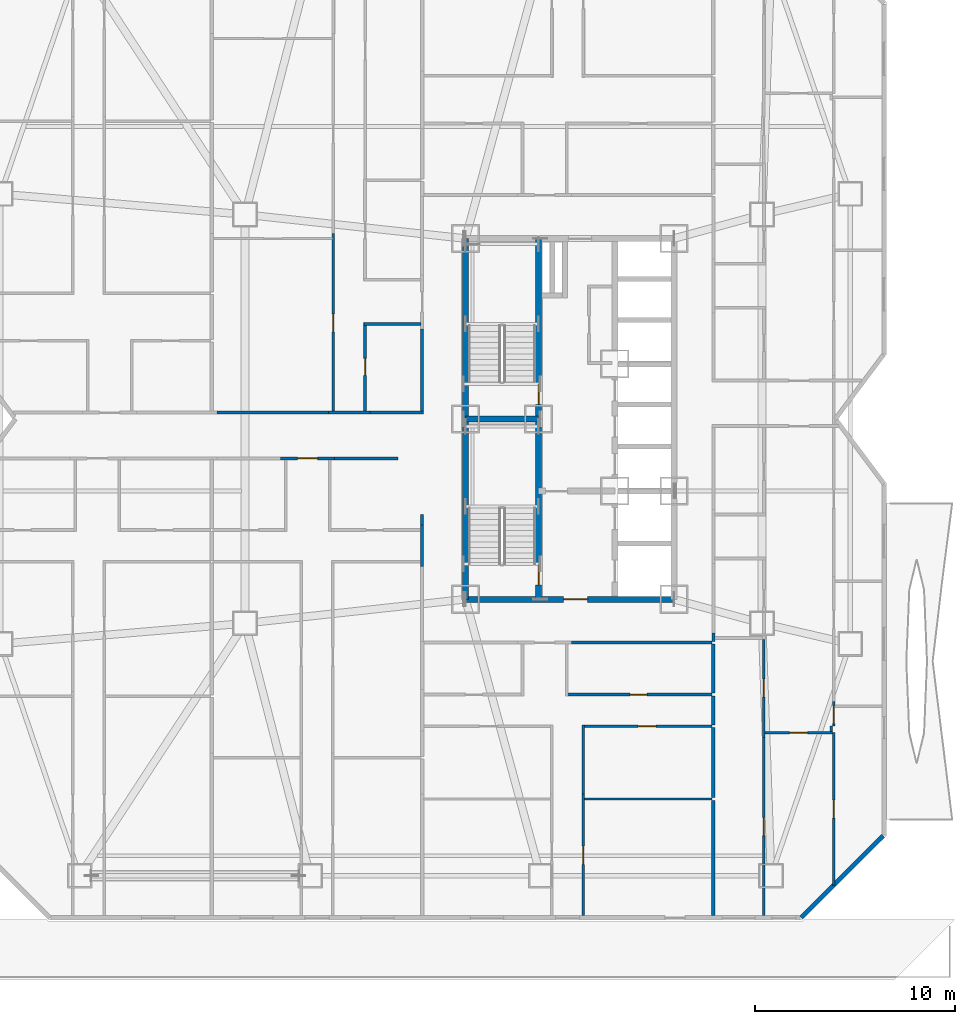
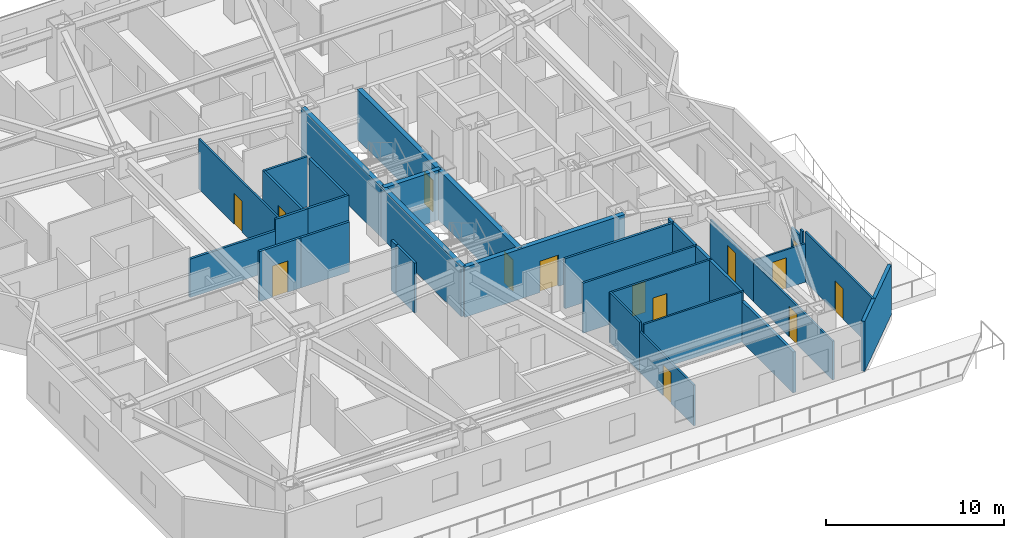
# One storey, part 11 of 18: 35 walls, 14 doors, 14 openings.
"""IFC4 building model written with IfcOpenShell, lengths in metres."""

from ifc_helpers import new_model, si_unit, direction, frame, frame_2d, origin, place, context, subcontext, project, spatial, rectangle, extrude, material, layer, layer_set, type_object, element, fill, save


model = new_model("IFC4")

# Units and contexts
model_context = context("Model", 3, precision=1e-05, world=origin(), true_north=direction((0.0, 1.0)))
body_context = subcontext(model_context, "Body", "Model", "MODEL_VIEW")
ifc_project = project(units=[si_unit("LENGTHUNIT", "METRE"), si_unit("AREAUNIT", "SQUARE_METRE"), si_unit("VOLUMEUNIT", "CUBIC_METRE"), si_unit("PLANEANGLEUNIT", "RADIAN"), si_unit("MASSUNIT", "GRAM", prefix="KILO")], contexts=[model_context])

# Site, building, storey
site_placement = place(None, origin())
site = spatial("IfcSite", under=ifc_project, at=site_placement, CompositionType="ELEMENT")
building_placement = place(site_placement, origin())
building = spatial("IfcBuilding", under=site, at=building_placement, Name="Khamvora Tower", CompositionType="ELEMENT")
storey_placement = place(building_placement, frame((0.0, 0.0, 33.300048828125)))
storey = spatial("IfcBuildingStorey", under=building, at=storey_placement, Name="L07", CompositionType="ELEMENT", Elevation=33.300048828125)

# Walls
ifc_material_1 = material(Name="Concrete C50/60", Category="concrete")
ifc_layer_1 = layer(ifc_material_1, 0.300048828125)
ifc_layer_set_1 = layer_set([ifc_layer_1], Name="Concrete C50/60")
wall_type_1 = type_object("IfcWallType", Name="WAL-CORE-300", PredefinedType="SHEAR", material=ifc_layer_set_1)
for number, where, z_axis, x_axis, name in (
    (1, (29.0, 19.0, 0.0), (0.0, 0.0, 1.0), (0.0, 1.0, 0.0), "L07 central core west south wall"),
    (2, (29.0, 28.0, 0.0), (0.0, 0.0, 1.0), (0.0, 1.0, 0.0), "L07 central core west north wall"),
):
    element("IfcWall", number, at=place(storey_placement, frame(where, z_axis=z_axis, x_axis=x_axis)), inside=storey, type_object=wall_type_1, Name=name, PredefinedType="SHEAR", context=body_context, shape_type="SweptSolid", body=[
        extrude(rectangle(XDim=9.0, YDim=0.300048828125, at=frame_2d((4.5, 0.0))), origin(), (0.0, 0.0, 1.0), 3.429931640625),
    ])

# Wall, opening, door
wall_1_placement = place(storey_placement, frame((29.0, 19.0, 0.0), z_axis=(0.0, 0.0, 1.0), x_axis=(1.0, 0.0, 0.0)))
wall_1 = element("IfcWall", 3, at=wall_1_placement, inside=storey, type_object=wall_type_1, Name="L07 central core south wall", PredefinedType="SHEAR", context=body_context, shape_type="SweptSolid", body=[
    extrude(rectangle(XDim=10.39990234375, YDim=0.300048828125, at=frame_2d((5.199951171875, 0.0))), origin(), (0.0, 0.0, 1.0), 3.429931640625),
])
opening_1_placement = place(wall_1_placement, frame((4.89990234375, 0.0, 0.0)))
opening_1 = element("IfcOpeningElement", 4, at=opening_1_placement, cuts=wall_1, Name="Opening D-CR1", PredefinedType="OPENING", context=body_context, shape_type="SweptSolid", body=[
    extrude(rectangle(XDim=1.199951171875, YDim=2.14990234375, at=frame_2d((0.60009765625, 1.074951171875))), frame((0.0, 0.159912109375, 0.0), z_axis=(0.0, -1.0, 0.0), x_axis=(1.0, 0.0, 0.0)), (0.0, 0.0, 1.0), 0.320068359375),
])
ifc_material_2 = material(Name="Powder-Coated Steel and Hardwood Leaf", Category="steel")
door_type_1 = type_object("IfcDoorType", Name="DOR-CORR-1200", OperationType="NOTDEFINED", PredefinedType="DOOR", material=ifc_material_2)
door_1_placement = place(opening_1_placement, origin())
door_1 = element("IfcDoor", 5, at=door_1_placement, inside=storey, type_object=door_type_1, Name="L07 south core lobby to corridor fire door", OperationType="SINGLE_SWING_LEFT", OverallHeight=2.14990234375, OverallWidth=1.199951171875, PredefinedType="DOOR", context=body_context, shape_type="SweptSolid", body=[
    extrude(rectangle(XDim=1.199951171875, YDim=2.14990234375, at=frame_2d((0.60009765625, 1.074951171875))), frame((0.0, 0.02490234375, 0.0), z_axis=(0.0, -1.0, 0.0), x_axis=(1.0, 0.0, 0.0)), (0.0, 0.0, 1.0), 0.050048828125),
])
fill(opening_1, door_1)

wall_2_placement = place(storey_placement, frame((32.64990234375, 19.0, 0.0), z_axis=(0.0, 0.0, 1.0), x_axis=(0.0, 1.0, 0.0)))
wall_2 = element("IfcWall", 6, at=wall_2_placement, inside=storey, type_object=wall_type_1, Name="L07 central core stair south spine wall", PredefinedType="SHEAR", context=body_context, shape_type="SweptSolid", body=[
    extrude(rectangle(XDim=9.0, YDim=0.300048828125, at=frame_2d((4.5, 0.0))), origin(), (0.0, 0.0, 1.0), 3.429931640625),
])
opening_2_placement = place(wall_2_placement, frame((0.719970703125, 0.0, 0.0)))
opening_2 = element("IfcOpeningElement", 7, at=opening_2_placement, cuts=wall_2, Name="Opening D-ST1", PredefinedType="OPENING", context=body_context, shape_type="SweptSolid", body=[
    extrude(rectangle(XDim=1.0, YDim=2.14990234375, at=frame_2d((0.5, 1.074951171875))), frame((0.0, 0.159912109375, 0.0), z_axis=(0.0, -1.0, 0.0), x_axis=(1.0, 0.0, 0.0)), (0.0, 0.0, 1.0), 0.320068359375),
])
door_type_2 = type_object("IfcDoorType", Name="DOR-STAIR-1000", OperationType="NOTDEFINED", PredefinedType="DOOR", material=ifc_material_2)
door_2_placement = place(opening_2_placement, origin())
door_2 = element("IfcDoor", 8, at=door_2_placement, inside=storey, type_object=door_type_2, Name="L07 exit stair ST-01 fire door", OperationType="SINGLE_SWING_RIGHT", OverallHeight=2.14990234375, OverallWidth=1.0, PredefinedType="DOOR", context=body_context, shape_type="SweptSolid", body=[
    extrude(rectangle(XDim=1.0, YDim=2.14990234375, at=frame_2d((0.5, 1.074951171875))), frame((0.0, 0.02490234375, 0.0), z_axis=(0.0, -1.0, 0.0), x_axis=(1.0, 0.0, 0.0)), (0.0, 0.0, 1.0), 0.050048828125),
])
fill(opening_2, door_2)

wall_3_placement = place(storey_placement, frame((32.64990234375, 28.0, 0.0), z_axis=(0.0, 0.0, 1.0), x_axis=(0.0, 1.0, 0.0)))
wall_3 = element("IfcWall", 9, at=wall_3_placement, inside=storey, type_object=wall_type_1, Name="L07 central core stair north spine wall", PredefinedType="SHEAR", context=body_context, shape_type="SweptSolid", body=[
    extrude(rectangle(XDim=9.0, YDim=0.300048828125, at=frame_2d((4.5, 0.0))), origin(), (0.0, 0.0, 1.0), 3.429931640625),
])
opening_3_placement = place(wall_3_placement, frame((0.719970703125, 0.0, 0.0)))
opening_3 = element("IfcOpeningElement", 10, at=opening_3_placement, cuts=wall_3, Name="Opening D-ST1", PredefinedType="OPENING", context=body_context, shape_type="SweptSolid", body=[
    extrude(rectangle(XDim=1.0, YDim=2.14990234375, at=frame_2d((0.5, 1.074951171875))), frame((0.0, 0.159912109375, 0.0), z_axis=(0.0, -1.0, 0.0), x_axis=(1.0, 0.0, 0.0)), (0.0, 0.0, 1.0), 0.320068359375),
])
door_3_placement = place(opening_3_placement, origin())
door_3 = element("IfcDoor", 11, at=door_3_placement, inside=storey, type_object=door_type_2, Name="L07 exit stair ST-02 fire door", OperationType="SINGLE_SWING_RIGHT", OverallHeight=2.14990234375, OverallWidth=1.0, PredefinedType="DOOR", context=body_context, shape_type="SweptSolid", body=[
    extrude(rectangle(XDim=1.0, YDim=2.14990234375, at=frame_2d((0.5, 1.074951171875))), frame((0.0, 0.02490234375, 0.0), z_axis=(0.0, -1.0, 0.0), x_axis=(1.0, 0.0, 0.0)), (0.0, 0.0, 1.0), 0.050048828125),
])
fill(opening_3, door_3)

# Walls
wall_4_placement = place(storey_placement, frame((29.0, 28.0, 0.0), z_axis=(0.0, 0.0, 1.0), x_axis=(1.0, 0.0, 0.0)))
element("IfcWall", 12, at=wall_4_placement, inside=storey, type_object=wall_type_1, Name="L07 central core stair cross wall", PredefinedType="SHEAR", context=body_context, shape_type="SweptSolid", body=[
    extrude(rectangle(XDim=3.64990234375, YDim=0.300048828125, at=frame_2d((1.824951171875, 0.0))), origin(), (0.0, 0.0, 1.0), 3.429931640625),
])
ifc_material_3 = material(Name="Fire-Rated Drywall and Steel Stud", Category="steel")
ifc_layer_2 = layer(ifc_material_3, 0.14990234375)
ifc_layer_set_2 = layer_set([ifc_layer_2], Name="Fire-Rated Drywall and Steel Stud")
wall_type_2 = type_object("IfcWallType", Name="WAL-CORR-150", PredefinedType="STANDARD", material=ifc_layer_set_2)
wall_5_placement = place(storey_placement, frame((26.8349609375, 20.6259765625, 0.0), z_axis=(0.0, 0.0, 1.0), x_axis=(0.0, 1.0, 0.0)))
element("IfcWall", 13, at=wall_5_placement, inside=storey, type_object=wall_type_2, Name="L07 interior partition wall 007", PredefinedType="STANDARD", context=body_context, shape_type="SweptSolid", body=[
    extrude(rectangle(XDim=2.078125, YDim=0.14990234375, at=frame_2d((1.0390625, 0.0))), origin(), (0.0, 0.0, 1.0), 3.429931640625),
])

# Wall, opening, door
wall_6_placement = place(storey_placement, frame((22.47607421875, 26.034912109375, 0.0), z_axis=(0.0, 0.0, 1.0), x_axis=(-1.0, 0.0, 0.0)))
wall_6 = element("IfcWall", 14, at=wall_6_placement, inside=storey, type_object=wall_type_2, Name="L07 interior partition wall 008", PredefinedType="STANDARD", context=body_context, shape_type="SweptSolid", body=[
    extrude(rectangle(XDim=2.698974609375, YDim=0.14990234375, at=frame_2d((1.349609375, 0.0))), origin(), (0.0, 0.0, 1.0), 3.429931640625),
])
opening_4_placement = place(wall_6_placement, frame((0.85009765625, 0.0, 0.0)))
opening_4 = element("IfcOpeningElement", 15, at=opening_4_placement, cuts=wall_6, Name="Opening D-U1", PredefinedType="OPENING", context=body_context, shape_type="SweptSolid", body=[
    extrude(rectangle(XDim=1.0, YDim=2.14990234375, at=frame_2d((0.5, 1.074951171875))), frame((0.0, 0.0849609375, 0.0), z_axis=(0.0, -1.0, 0.0), x_axis=(1.0, 0.0, 0.0)), (0.0, 0.0, 1.0), 0.169921875),
])
door_type_3 = type_object("IfcDoorType", Name="DOR-UNIT-1000", OperationType="NOTDEFINED", PredefinedType="DOOR", material=ifc_material_2)
door_4_placement = place(opening_4_placement, origin())
door_4 = element("IfcDoor", 16, at=door_4_placement, inside=storey, type_object=door_type_3, Name="L07 interior door COR-07WA2H", OperationType="SINGLE_SWING_LEFT", OverallHeight=2.14990234375, OverallWidth=1.0, PredefinedType="DOOR", context=body_context, shape_type="SweptSolid", body=[
    extrude(rectangle(XDim=1.0, YDim=2.14990234375, at=frame_2d((0.5, 1.074951171875))), frame((0.0, 0.02490234375, 0.0), z_axis=(0.0, -1.0, 0.0), x_axis=(1.0, 0.0, 0.0)), (0.0, 0.0, 1.0), 0.050048828125),
])
fill(opening_4, door_4)

# Walls
wall_7_placement = place(storey_placement, frame((26.8349609375, 22.7041015625, 0.0), z_axis=(0.0, 0.0, 1.0), x_axis=(0.0, 1.0, 0.0)))
element("IfcWall", 17, at=wall_7_placement, inside=storey, type_object=wall_type_2, Name="L07 interior partition wall 010", PredefinedType="STANDARD", context=body_context, shape_type="SweptSolid", body=[
    extrude(rectangle(XDim=0.535888671875, YDim=0.14990234375, at=frame_2d((0.26806640625, 0.0))), origin(), (0.0, 0.0, 1.0), 3.429931640625),
])
wall_8_placement = place(storey_placement, frame((25.639892578125, 26.034912109375, 0.0), z_axis=(0.0, 0.0, 1.0), x_axis=(-1.0, 0.0, 0.0)))
element("IfcWall", 18, at=wall_8_placement, inside=storey, type_object=wall_type_2, Name="L07 interior partition wall 011", PredefinedType="STANDARD", context=body_context, shape_type="SweptSolid", body=[
    extrude(rectangle(XDim=3.163818359375, YDim=0.14990234375, at=frame_2d((1.58203125, 0.0))), origin(), (0.0, 0.0, 1.0), 3.429931640625),
])
wall_9_placement = place(storey_placement, frame((22.160888671875, 28.31494140625, 0.0), z_axis=(0.0, 0.0, 1.0), x_axis=(1.0, 0.0, 0.0)))
element("IfcWall", 19, at=wall_9_placement, inside=storey, type_object=wall_type_2, Name="L07 interior partition wall 016", PredefinedType="STANDARD", context=body_context, shape_type="SweptSolid", body=[
    extrude(rectangle(XDim=2.0791015625, YDim=0.14990234375, at=frame_2d((1.03955078125, 0.0))), origin(), (0.0, 0.0, 1.0), 3.429931640625),
])
wall_10_placement = place(storey_placement, frame((24.239990234375, 28.31494140625, 0.0), z_axis=(0.0, 0.0, 1.0), x_axis=(1.0, 0.0, 0.0)))
element("IfcWall", 20, at=wall_10_placement, inside=storey, type_object=wall_type_2, Name="L07 interior partition wall 018", PredefinedType="STANDARD", context=body_context, shape_type="SweptSolid", body=[
    extrude(rectangle(XDim=2.659912109375, YDim=0.14990234375, at=frame_2d((1.330078125, 0.0))), origin(), (0.0, 0.0, 1.0), 3.429931640625),
])
wall_11_placement = place(storey_placement, frame((26.8349609375, 28.25, 0.0), z_axis=(0.0, 0.0, 1.0), x_axis=(0.0, 1.0, 0.0)))
element("IfcWall", 21, at=wall_11_placement, inside=storey, type_object=wall_type_2, Name="L07 interior partition wall 019", PredefinedType="STANDARD", context=body_context, shape_type="SweptSolid", body=[
    extrude(rectangle(XDim=4.241943359375, YDim=0.14990234375, at=frame_2d((2.12109375, 0.0))), origin(), (0.0, 0.0, 1.0), 3.429931640625),
])
wall_12_placement = place(storey_placement, frame((16.595947265625, 28.31494140625, 0.0), z_axis=(0.0, 0.0, 1.0), x_axis=(1.0, 0.0, 0.0)))
element("IfcWall", 22, at=wall_12_placement, inside=storey, type_object=wall_type_2, Name="L07 interior partition wall 021", PredefinedType="STANDARD", context=body_context, shape_type="SweptSolid", body=[
    extrude(rectangle(XDim=5.56494140625, YDim=0.14990234375, at=frame_2d((2.782470703125, 0.0))), origin(), (0.0, 0.0, 1.0), 2.64697265625),
])
wall_13_placement = place(storey_placement, frame((41.300048828125, 16.8349609375, 0.0), z_axis=(0.0, 0.0, 1.0), x_axis=(-1.0, 0.0, 0.0)))
element("IfcWall", 23, at=wall_13_placement, inside=storey, type_object=wall_type_2, Name="L07 interior partition wall 024", PredefinedType="STANDARD", context=body_context, shape_type="SweptSolid", body=[
    extrude(rectangle(XDim=7.0009765625, YDim=0.14990234375, at=frame_2d((3.50048828125, 0.0))), origin(), (0.0, 0.0, 1.0), 3.429931640625),
])
wall_14_placement = place(storey_placement, frame((41.364990234375, 17.318115234375, 0.0), z_axis=(0.0, 0.0, 1.0), x_axis=(0.0, -1.0, 0.0)))
element("IfcWall", 24, at=wall_14_placement, inside=storey, type_object=wall_type_2, Name="L07 interior partition wall 028", PredefinedType="STANDARD", context=body_context, shape_type="SweptSolid", body=[
    extrude(rectangle(XDim=0.418212890625, YDim=0.14990234375, at=frame_2d((0.208984375, 0.0))), origin(), (0.0, 0.0, 1.0), 3.429931640625),
])
ifc_material_4 = material(Name="Acoustic Double-Stud Fire Wall", Category="gypsum")
ifc_layer_3 = layer(ifc_material_4, 0.179931640625)
ifc_layer_set_3 = layer_set([ifc_layer_3], Name="Acoustic Double-Stud Fire Wall")
wall_type_3 = type_object("IfcWallType", Name="WAL-CORR-180", PredefinedType="STANDARD", material=ifc_layer_set_3)
wall_15_placement = place(storey_placement, frame((41.364990234375, 14.180908203125, 0.0), z_axis=(0.0, 0.0, 1.0), x_axis=(0.0, -1.0, 0.0)))
element("IfcWall", 25, at=wall_15_placement, inside=storey, type_object=wall_type_3, Name="L07 interior partition wall 116", PredefinedType="STANDARD", context=body_context, shape_type="SweptSolid", body=[
    extrude(rectangle(XDim=1.449951171875, YDim=0.179931640625, at=frame_2d((0.72509765625, 0.0))), origin(), (0.0, 0.0, 1.0), 3.429931640625),
])
wall_16_placement = place(storey_placement, frame((41.364990234375, 16.77001953125, 0.0), z_axis=(0.0, 0.0, 1.0), x_axis=(0.0, -1.0, 0.0)))
element("IfcWall", 26, at=wall_16_placement, inside=storey, type_object=wall_type_3, Name="L07 interior partition wall 117", PredefinedType="STANDARD", context=body_context, shape_type="SweptSolid", body=[
    extrude(rectangle(XDim=2.458984375, YDim=0.179931640625, at=frame_2d((1.2294921875, 0.0))), origin(), (0.0, 0.0, 1.0), 3.429931640625),
])
wall_17_placement = place(storey_placement, frame((41.364990234375, 8.968017578125, 0.0), z_axis=(0.0, 0.0, 1.0), x_axis=(0.0, -1.0, 0.0)))
element("IfcWall", 27, at=wall_17_placement, inside=storey, type_object=wall_type_3, Name="L07 interior partition wall 120", PredefinedType="STANDARD", context=body_context, shape_type="SweptSolid", body=[
    extrude(rectangle(XDim=5.756103515625, YDim=0.179931640625, at=frame_2d((2.8779296875, 0.0))), origin(), (0.0, 0.0, 1.0), 2.802978515625),
])
wall_18_placement = place(storey_placement, frame((41.364990234375, 12.60107421875, 0.0), z_axis=(0.0, 0.0, 1.0), x_axis=(0.0, -1.0, 0.0)))
element("IfcWall", 28, at=wall_18_placement, inside=storey, type_object=wall_type_3, Name="L07 interior partition wall 121", PredefinedType="STANDARD", context=body_context, shape_type="SweptSolid", body=[
    extrude(rectangle(XDim=3.503173828125, YDim=0.179931640625, at=frame_2d((1.75146484375, 0.0))), origin(), (0.0, 0.0, 1.0), 3.429931640625),
])
ifc_material_5 = material(Name="Precast concrete C40/50", Category="concrete")
ifc_layer_4 = layer(ifc_material_5, 0.219970703125)
ifc_layer_set_4 = layer_set([ifc_layer_4], Name="Precast concrete C40/50")
wall_type_4 = type_object("IfcWallType", Name="WAL-EXT-220", PredefinedType="STANDARD", material=ifc_layer_set_4)
wall_19_placement = place(storey_placement, frame((49.840087890625, 7.196044921875, 0.0), z_axis=(0.0, 0.0, 1.0), x_axis=(-0.707127905562, -0.70708565618, 0.0)))
element("IfcWall", 29, at=wall_19_placement, inside=storey, type_object=wall_type_4, Name="L07 exterior facade wall 13.1", PredefinedType="STANDARD", context=body_context, shape_type="SweptSolid", body=[
    extrude(rectangle(XDim=5.778564453125, YDim=0.219970703125, at=frame_2d((2.88916015625, 0.0))), origin(), (0.0, 0.0, 1.0), 3.429931640625),
])

# Wall, opening, door
ifc_material_6 = material(Name="Gypsum Plasterboard Partition", Category="gypsum")
ifc_layer_5 = layer(ifc_material_6, 0.1201171875)
ifc_layer_set_5 = layer_set([ifc_layer_5], Name="Gypsum Plasterboard Partition")
wall_type_5 = type_object("IfcWallType", Name="WAL-PART-120", PredefinedType="PARTITIONING", material=ifc_layer_set_5)
wall_20_placement = place(storey_placement, frame((22.409912109375, 28.382080078125, 0.0), z_axis=(0.0, 0.0, 1.0), x_axis=(0.0, 1.0, 0.0)))
wall_20 = element("IfcWall", 30, at=wall_20_placement, inside=storey, type_object=wall_type_5, Name="L07 interior partition wall 100", PredefinedType="PARTITIONING", context=body_context, shape_type="SweptSolid", body=[
    extrude(rectangle(XDim=8.869873046875, YDim=0.1201171875, at=frame_2d((4.43505859375, 0.0))), origin(), (0.0, 0.0, 1.0), 3.429931640625),
])
opening_5_placement = place(wall_20_placement, frame((3.964111328125, 0.0, 0.0)))
opening_5 = element("IfcOpeningElement", 31, at=opening_5_placement, cuts=wall_20, Name="Opening D-RM1", PredefinedType="OPENING", context=body_context, shape_type="SweptSolid", body=[
    extrude(rectangle(XDim=0.89990234375, YDim=2.10009765625, at=frame_2d((0.449951171875, 1.050048828125))), frame((0.0, 0.070068359375, 0.0), z_axis=(0.0, -1.0, 0.0), x_axis=(1.0, 0.0, 0.0)), (0.0, 0.0, 1.0), 0.14013671875),
])
door_type_4 = type_object("IfcDoorType", Name="DOR-ROOM-900", OperationType="NOTDEFINED", PredefinedType="DOOR", material=ifc_material_2)
door_5_placement = place(opening_5_placement, origin())
door_5 = element("IfcDoor", 32, at=door_5_placement, inside=storey, type_object=door_type_4, Name="L07 interior door 07WB2H-07WB2R1", OperationType="SINGLE_SWING_LEFT", OverallHeight=2.10009765625, OverallWidth=0.89990234375, PredefinedType="DOOR", context=body_context, shape_type="SweptSolid", body=[
    extrude(rectangle(XDim=0.89990234375, YDim=2.10009765625, at=frame_2d((0.449951171875, 1.050048828125))), frame((0.0, 0.02490234375, 0.0), z_axis=(0.0, -1.0, 0.0), x_axis=(1.0, 0.0, 0.0)), (0.0, 0.0, 1.0), 0.050048828125),
])
fill(opening_5, door_5)

wall_21_placement = place(storey_placement, frame((34.885009765625, 9.281982421875, 0.0), z_axis=(0.0, 0.0, 1.0), x_axis=(0.0, -1.0, 0.0)))
wall_21 = element("IfcWall", 33, at=wall_21_placement, inside=storey, type_object=wall_type_5, Name="L07 interior partition wall 113", PredefinedType="PARTITIONING", context=body_context, shape_type="SweptSolid", body=[
    extrude(rectangle(XDim=6.070068359375, YDim=0.1201171875, at=frame_2d((3.03515625, 0.0))), origin(), (0.0, 0.0, 1.0), 2.802978515625),
])
opening_6_placement = place(wall_21_placement, frame((2.60595703125, 0.0, 0.0)))
opening_6 = element("IfcOpeningElement", 34, at=opening_6_placement, cuts=wall_21, Name="Opening D-RM1", PredefinedType="OPENING", context=body_context, shape_type="SweptSolid", body=[
    extrude(rectangle(XDim=0.89990234375, YDim=2.10009765625, at=frame_2d((0.449951171875, 1.050048828125))), frame((0.0, 0.070068359375, 0.0), z_axis=(0.0, -1.0, 0.0), x_axis=(1.0, 0.0, 0.0)), (0.0, 0.0, 1.0), 0.14013671875),
])
door_6_placement = place(opening_6_placement, origin())
door_6 = element("IfcDoor", 35, at=door_6_placement, inside=storey, type_object=door_type_4, Name="L07 interior door 07SAH-07SAR3", OperationType="SINGLE_SWING_LEFT", OverallHeight=2.10009765625, OverallWidth=0.89990234375, PredefinedType="DOOR", context=body_context, shape_type="SweptSolid", body=[
    extrude(rectangle(XDim=0.89990234375, YDim=2.10009765625, at=frame_2d((0.449951171875, 1.050048828125))), frame((0.0, 0.02490234375, 0.0), z_axis=(0.0, -1.0, 0.0), x_axis=(1.0, 0.0, 0.0)), (0.0, 0.0, 1.0), 0.050048828125),
])
fill(opening_6, door_6)

wall_22_placement = place(storey_placement, frame((41.300048828125, 12.666015625, 0.0), z_axis=(0.0, 0.0, 1.0), x_axis=(-1.0, 0.0, 0.0)))
wall_22 = element("IfcWall", 36, at=wall_22_placement, inside=storey, type_object=wall_type_5, Name="L07 interior partition wall 114", PredefinedType="PARTITIONING", context=body_context, shape_type="SweptSolid", body=[
    extrude(rectangle(XDim=6.47998046875, YDim=0.1201171875, at=frame_2d((3.239990234375, 0.0))), origin(), (0.0, 0.0, 1.0), 3.429931640625),
])
opening_7_placement = place(wall_22_placement, frame((2.7900390625, 0.0, 0.0)))
opening_7 = element("IfcOpeningElement", 37, at=opening_7_placement, cuts=wall_22, Name="Opening D-RM1", PredefinedType="OPENING", context=body_context, shape_type="SweptSolid", body=[
    extrude(rectangle(XDim=0.89990234375, YDim=2.10009765625, at=frame_2d((0.449951171875, 1.050048828125))), frame((0.0, 0.070068359375, 0.0), z_axis=(0.0, -1.0, 0.0), x_axis=(1.0, 0.0, 0.0)), (0.0, 0.0, 1.0), 0.14013671875),
])
door_7_placement = place(opening_7_placement, origin())
door_7 = element("IfcDoor", 38, at=door_7_placement, inside=storey, type_object=door_type_4, Name="L07 interior door 07SAH-07SAR4", OperationType="SINGLE_SWING_RIGHT", OverallHeight=2.10009765625, OverallWidth=0.89990234375, PredefinedType="DOOR", context=body_context, shape_type="SweptSolid", body=[
    extrude(rectangle(XDim=0.89990234375, YDim=2.10009765625, at=frame_2d((0.449951171875, 1.050048828125))), frame((0.0, 0.02490234375, 0.0), z_axis=(0.0, -1.0, 0.0), x_axis=(1.0, 0.0, 0.0)), (0.0, 0.0, 1.0), 0.050048828125),
])
fill(opening_7, door_7)

# Walls
wall_23_placement = place(storey_placement, frame((34.885009765625, 12.73095703125, 0.0), z_axis=(0.0, 0.0, 1.0), x_axis=(0.0, -1.0, 0.0)))
element("IfcWall", 39, at=wall_23_placement, inside=storey, type_object=wall_type_5, Name="L07 interior partition wall 115", PredefinedType="PARTITIONING", context=body_context, shape_type="SweptSolid", body=[
    extrude(rectangle(XDim=3.448974609375, YDim=0.1201171875, at=frame_2d((1.724609375, 0.0))), origin(), (0.0, 0.0, 1.0), 3.429931640625),
])
wall_24_placement = place(storey_placement, frame((34.93896484375, 9.032958984375, 0.0), z_axis=(0.0, 0.0, 1.0), x_axis=(1.0, 0.0, 0.0)))
element("IfcWall", 40, at=wall_24_placement, inside=storey, type_object=wall_type_5, Name="L07 interior partition wall 119", PredefinedType="PARTITIONING", context=body_context, shape_type="SweptSolid", body=[
    extrude(rectangle(XDim=6.361083984375, YDim=0.1201171875, at=frame_2d((3.1806640625, 0.0))), origin(), (0.0, 0.0, 1.0), 3.429931640625),
])

# Wall, opening, door
wall_25_placement = place(storey_placement, frame((43.89501953125, 17.00390625, 0.0), z_axis=(0.0, 0.0, 1.0), x_axis=(0.0, -1.0, 0.0)))
wall_25 = element("IfcWall", 41, at=wall_25_placement, inside=storey, type_object=wall_type_5, Name="L07 interior partition wall 134", PredefinedType="PARTITIONING", context=body_context, shape_type="SweptSolid", body=[
    extrude(rectangle(XDim=4.912841796875, YDim=0.1201171875, at=frame_2d((2.45654296875, 0.0))), origin(), (0.0, 0.0, 1.0), 2.64697265625),
])
opening_8_placement = place(wall_25_placement, frame((1.986083984375, 0.0, 0.0)))
opening_8 = element("IfcOpeningElement", 42, at=opening_8_placement, cuts=wall_25, Name="Opening D-RM1", PredefinedType="OPENING", context=body_context, shape_type="SweptSolid", body=[
    extrude(rectangle(XDim=0.89990234375, YDim=2.10009765625, at=frame_2d((0.449951171875, 1.050048828125))), frame((0.0, 0.070068359375, 0.0), z_axis=(0.0, -1.0, 0.0), x_axis=(1.0, 0.0, 0.0)), (0.0, 0.0, 1.0), 0.14013671875),
])
door_8_placement = place(opening_8_placement, origin())
door_8 = element("IfcDoor", 43, at=door_8_placement, inside=storey, type_object=door_type_4, Name="L07 interior door 07EAW1-07EAH", OperationType="SINGLE_SWING_LEFT", OverallHeight=2.10009765625, OverallWidth=0.89990234375, PredefinedType="DOOR", context=body_context, shape_type="SweptSolid", body=[
    extrude(rectangle(XDim=0.89990234375, YDim=2.10009765625, at=frame_2d((0.449951171875, 1.050048828125))), frame((0.0, 0.02490234375, 0.0), z_axis=(0.0, -1.0, 0.0), x_axis=(1.0, 0.0, 0.0)), (0.0, 0.0, 1.0), 0.050048828125),
])
fill(opening_8, door_8)

wall_26_placement = place(storey_placement, frame((43.89501953125, 12.091064453125, 0.0), z_axis=(0.0, 0.0, 1.0), x_axis=(0.0, -1.0, 0.0)))
wall_26 = element("IfcWall", 44, at=wall_26_placement, inside=storey, type_object=wall_type_5, Name="L07 interior partition wall 135", PredefinedType="PARTITIONING", context=body_context, shape_type="SweptSolid", body=[
    extrude(rectangle(XDim=8.879150390625, YDim=0.1201171875, at=frame_2d((4.439453125, 0.0))), origin(), (0.0, 0.0, 1.0), 2.64697265625),
])
opening_9_placement = place(wall_26_placement, frame((3.989013671875, 0.0, 0.0)))
opening_9 = element("IfcOpeningElement", 45, at=opening_9_placement, cuts=wall_26, Name="Opening D-RM1", PredefinedType="OPENING", context=body_context, shape_type="SweptSolid", body=[
    extrude(rectangle(XDim=0.89990234375, YDim=2.10009765625, at=frame_2d((0.449951171875, 1.050048828125))), frame((0.0, 0.070068359375, 0.0), z_axis=(0.0, -1.0, 0.0), x_axis=(1.0, 0.0, 0.0)), (0.0, 0.0, 1.0), 0.14013671875),
])
door_9_placement = place(opening_9_placement, origin())
door_9 = element("IfcDoor", 46, at=door_9_placement, inside=storey, type_object=door_type_4, Name="L07 interior door 07EAW1-07EAD", OperationType="SINGLE_SWING_RIGHT", OverallHeight=2.10009765625, OverallWidth=0.89990234375, PredefinedType="DOOR", context=body_context, shape_type="SweptSolid", body=[
    extrude(rectangle(XDim=0.89990234375, YDim=2.10009765625, at=frame_2d((0.449951171875, 1.050048828125))), frame((0.0, 0.02490234375, 0.0), z_axis=(0.0, -1.0, 0.0), x_axis=(1.0, 0.0, 0.0)), (0.0, 0.0, 1.0), 0.050048828125),
])
fill(opening_9, door_9)

wall_27_placement = place(storey_placement, frame((47.31005859375, 12.340087890625, 0.0), z_axis=(0.0, 0.0, 1.0), x_axis=(-1.0, 0.0, 0.0)))
wall_27 = element("IfcWall", 47, at=wall_27_placement, inside=storey, type_object=wall_type_5, Name="L07 interior partition wall 137", PredefinedType="PARTITIONING", context=body_context, shape_type="SweptSolid", body=[
    extrude(rectangle(XDim=3.361083984375, YDim=0.1201171875, at=frame_2d((1.6806640625, 0.0))), origin(), (0.0, 0.0, 1.0), 2.64697265625),
])
opening_10_placement = place(wall_27_placement, frame((1.23095703125, 0.0, 0.0)))
opening_10 = element("IfcOpeningElement", 48, at=opening_10_placement, cuts=wall_27, Name="Opening D-RM1", PredefinedType="OPENING", context=body_context, shape_type="SweptSolid", body=[
    extrude(rectangle(XDim=0.89990234375, YDim=2.10009765625, at=frame_2d((0.449951171875, 1.050048828125))), frame((0.0, 0.070068359375, 0.0), z_axis=(0.0, -1.0, 0.0), x_axis=(1.0, 0.0, 0.0)), (0.0, 0.0, 1.0), 0.14013671875),
])
door_10_placement = place(opening_10_placement, origin())
door_10 = element("IfcDoor", 49, at=door_10_placement, inside=storey, type_object=door_type_4, Name="L07 interior door 07EAH-07EAD", OperationType="SINGLE_SWING_LEFT", OverallHeight=2.10009765625, OverallWidth=0.89990234375, PredefinedType="DOOR", context=body_context, shape_type="SweptSolid", body=[
    extrude(rectangle(XDim=0.89990234375, YDim=2.10009765625, at=frame_2d((0.449951171875, 1.050048828125))), frame((0.0, 0.02490234375, 0.0), z_axis=(0.0, -1.0, 0.0), x_axis=(1.0, 0.0, 0.0)), (0.0, 0.0, 1.0), 0.050048828125),
])
fill(opening_10, door_10)

# Wall
wall_28_placement = place(storey_placement, frame((47.2451171875, 12.679931640625, 0.0), z_axis=(0.0, 0.0, 1.0), x_axis=(0.0, -1.0, 0.0)))
element("IfcWall", 50, at=wall_28_placement, inside=storey, type_object=wall_type_5, Name="L07 interior partition wall 138", PredefinedType="PARTITIONING", context=body_context, shape_type="SweptSolid", body=[
    extrude(rectangle(XDim=0.27490234375, YDim=0.1201171875, at=frame_2d((0.137451171875, 0.0))), origin(), (0.0, 0.0, 1.0), 3.429931640625),
])

# Wall, opening, door
wall_29_placement = place(storey_placement, frame((47.375, 13.904052734375, 0.0), z_axis=(0.0, 0.0, 1.0), x_axis=(0.0, -1.0, 0.0)))
wall_29 = element("IfcWall", 51, at=wall_29_placement, inside=storey, type_object=wall_type_5, Name="L07 interior partition wall 143", PredefinedType="PARTITIONING", context=body_context, shape_type="SweptSolid", body=[
    extrude(rectangle(XDim=1.22412109375, YDim=0.1201171875, at=frame_2d((0.612060546875, 0.0))), origin(), (0.0, 0.0, 1.0), 2.802978515625),
])
opening_11_placement = place(wall_29_placement, frame((0.214111328125, 0.0, 0.0)))
opening_11 = element("IfcOpeningElement", 52, at=opening_11_placement, cuts=wall_29, Name="Opening D-RM1", PredefinedType="OPENING", context=body_context, shape_type="SweptSolid", body=[
    extrude(rectangle(XDim=0.89990234375, YDim=2.10009765625, at=frame_2d((0.449951171875, 1.050048828125))), frame((0.0, 0.070068359375, 0.0), z_axis=(0.0, -1.0, 0.0), x_axis=(1.0, 0.0, 0.0)), (0.0, 0.0, 1.0), 0.14013671875),
])
door_11_placement = place(opening_11_placement, origin())
door_11 = element("IfcDoor", 53, at=door_11_placement, inside=storey, type_object=door_type_4, Name="L07 interior door 07EAH-07EAL", OperationType="SINGLE_SWING_RIGHT", OverallHeight=2.10009765625, OverallWidth=0.89990234375, PredefinedType="DOOR", context=body_context, shape_type="SweptSolid", body=[
    extrude(rectangle(XDim=0.89990234375, YDim=2.10009765625, at=frame_2d((0.449951171875, 1.050048828125))), frame((0.0, 0.02490234375, 0.0), z_axis=(0.0, -1.0, 0.0), x_axis=(1.0, 0.0, 0.0)), (0.0, 0.0, 1.0), 0.050048828125),
])
fill(opening_11, door_11)

wall_30_placement = place(storey_placement, frame((47.375, 12.340087890625, 0.0), z_axis=(0.0, 0.0, 1.0), x_axis=(0.0, -1.0, 0.0)))
wall_30 = element("IfcWall", 54, at=wall_30_placement, inside=storey, type_object=wall_type_5, Name="L07 interior partition wall 146", PredefinedType="PARTITIONING", context=body_context, shape_type="SweptSolid", body=[
    extrude(rectangle(XDim=7.6181640625, YDim=0.1201171875, at=frame_2d((3.80908203125, 0.0))), origin(), (0.0, 0.0, 1.0), 3.429931640625),
])
opening_12_placement = place(wall_30_placement, frame((3.35888671875, 0.0, 0.0)))
opening_12 = element("IfcOpeningElement", 55, at=opening_12_placement, cuts=wall_30, Name="Opening D-RM1", PredefinedType="OPENING", context=body_context, shape_type="SweptSolid", body=[
    extrude(rectangle(XDim=0.89990234375, YDim=2.10009765625, at=frame_2d((0.449951171875, 1.050048828125))), frame((0.0, 0.070068359375, 0.0), z_axis=(0.0, -1.0, 0.0), x_axis=(1.0, 0.0, 0.0)), (0.0, 0.0, 1.0), 0.14013671875),
])
door_12_placement = place(opening_12_placement, origin())
door_12 = element("IfcDoor", 56, at=door_12_placement, inside=storey, type_object=door_type_4, Name="L07 interior door 07EAD-07EAL", OperationType="SINGLE_SWING_RIGHT", OverallHeight=2.10009765625, OverallWidth=0.89990234375, PredefinedType="DOOR", context=body_context, shape_type="SweptSolid", body=[
    extrude(rectangle(XDim=0.89990234375, YDim=2.10009765625, at=frame_2d((0.449951171875, 1.050048828125))), frame((0.0, 0.02490234375, 0.0), z_axis=(0.0, -1.0, 0.0), x_axis=(1.0, 0.0, 0.0)), (0.0, 0.0, 1.0), 0.050048828125),
])
fill(opening_12, door_12)

# Wall
ifc_material_7 = material(Name="Moisture-Resistant Plasterboard Partition", Category="gypsum")
ifc_layer_6 = layer(ifc_material_7, 0.135009765625)
ifc_layer_set_6 = layer_set([ifc_layer_6], Name="Moisture-Resistant Plasterboard Partition")
wall_type_6 = type_object("IfcWallType", Name="WAL-WET-135", PredefinedType="PARTITIONING", material=ifc_layer_set_6)
wall_31_placement = place(storey_placement, frame((26.77001953125, 32.740966796875, 0.0), z_axis=(0.0, 0.0, 1.0), x_axis=(-1.0, 0.0, 0.0)))
element("IfcWall", 57, at=wall_31_placement, inside=storey, type_object=wall_type_6, Name="L07 interior partition wall 096", PredefinedType="PARTITIONING", context=body_context, shape_type="SweptSolid", body=[
    extrude(rectangle(XDim=2.844970703125, YDim=0.135009765625, at=frame_2d((1.42236328125, 0.0))), origin(), (0.0, 0.0, 1.0), 3.429931640625),
])

# Wall, opening, door
wall_32_placement = place(storey_placement, frame((23.989990234375, 32.805908203125, 0.0), z_axis=(0.0, 0.0, 1.0), x_axis=(0.0, -1.0, 0.0)))
wall_32 = element("IfcWall", 58, at=wall_32_placement, inside=storey, type_object=wall_type_6, Name="L07 interior partition wall 097", PredefinedType="PARTITIONING", context=body_context, shape_type="SweptSolid", body=[
    extrude(rectangle(XDim=4.423828125, YDim=0.135009765625, at=frame_2d((2.2119140625, 0.0))), origin(), (0.0, 0.0, 1.0), 3.429931640625),
])
opening_13_placement = place(wall_32_placement, frame((1.787109375, 0.0, 0.0)))
opening_13 = element("IfcOpeningElement", 59, at=opening_13_placement, cuts=wall_32, Name="Opening D-WC1", PredefinedType="OPENING", context=body_context, shape_type="SweptSolid", body=[
    extrude(rectangle(XDim=0.85009765625, YDim=2.10009765625, at=frame_2d((0.425048828125, 1.050048828125))), frame((0.0, 0.077392578125, 0.0), z_axis=(0.0, -1.0, 0.0), x_axis=(1.0, 0.0, 0.0)), (0.0, 0.0, 1.0), 0.155029296875),
])
door_type_5 = type_object("IfcDoorType", Name="DOR-WET-850", OperationType="NOTDEFINED", PredefinedType="DOOR", material=ifc_material_2)
door_13_placement = place(opening_13_placement, origin())
door_13 = element("IfcDoor", 60, at=door_13_placement, inside=storey, type_object=door_type_5, Name="L07 interior door 07WB2H-07WB2B", OperationType="SINGLE_SWING_LEFT", OverallHeight=2.10009765625, OverallWidth=0.85009765625, PredefinedType="DOOR", context=body_context, shape_type="SweptSolid", body=[
    extrude(rectangle(XDim=0.85009765625, YDim=2.10009765625, at=frame_2d((0.425048828125, 1.050048828125))), frame((0.0, 0.02490234375, 0.0), z_axis=(0.0, -1.0, 0.0), x_axis=(1.0, 0.0, 0.0)), (0.0, 0.0, 1.0), 0.050048828125),
])
fill(opening_13, door_13)

wall_33_placement = place(storey_placement, frame((33.985107421875, 14.24609375, 0.0), z_axis=(0.0, 0.0, 1.0), x_axis=(1.0, 0.0, 0.0)))
wall_33 = element("IfcWall", 61, at=wall_33_placement, inside=storey, type_object=wall_type_6, Name="L07 interior partition wall 109", PredefinedType="PARTITIONING", context=body_context, shape_type="SweptSolid", body=[
    extrude(rectangle(XDim=7.31494140625, YDim=0.135009765625, at=frame_2d((3.657470703125, 0.0))), origin(), (0.0, 0.0, 1.0), 3.429931640625),
])
opening_14_placement = place(wall_33_placement, frame((3.23291015625, 0.0, 0.0)))
opening_14 = element("IfcOpeningElement", 62, at=opening_14_placement, cuts=wall_33, Name="Opening D-RM2", PredefinedType="OPENING", context=body_context, shape_type="SweptSolid", body=[
    extrude(rectangle(XDim=0.85009765625, YDim=2.10009765625, at=frame_2d((0.425048828125, 1.050048828125))), frame((0.0, 0.077392578125, 0.0), z_axis=(0.0, -1.0, 0.0), x_axis=(1.0, 0.0, 0.0)), (0.0, 0.0, 1.0), 0.155029296875),
])
door_type_6 = type_object("IfcDoorType", Name="DOR-ROOM-850", OperationType="NOTDEFINED", PredefinedType="DOOR", material=ifc_material_2)
door_14_placement = place(opening_14_placement, origin())
door_14 = element("IfcDoor", 63, at=door_14_placement, inside=storey, type_object=door_type_6, Name="L07 interior door 07SAH-07SAK", OperationType="SINGLE_SWING_RIGHT", OverallHeight=2.10009765625, OverallWidth=0.85009765625, PredefinedType="DOOR", context=body_context, shape_type="SweptSolid", body=[
    extrude(rectangle(XDim=0.85009765625, YDim=2.10009765625, at=frame_2d((0.425048828125, 1.050048828125))), frame((0.0, 0.02490234375, 0.0), z_axis=(0.0, -1.0, 0.0), x_axis=(1.0, 0.0, 0.0)), (0.0, 0.0, 1.0), 0.050048828125),
])
fill(opening_14, door_14)

save(model, "model.ifc")
